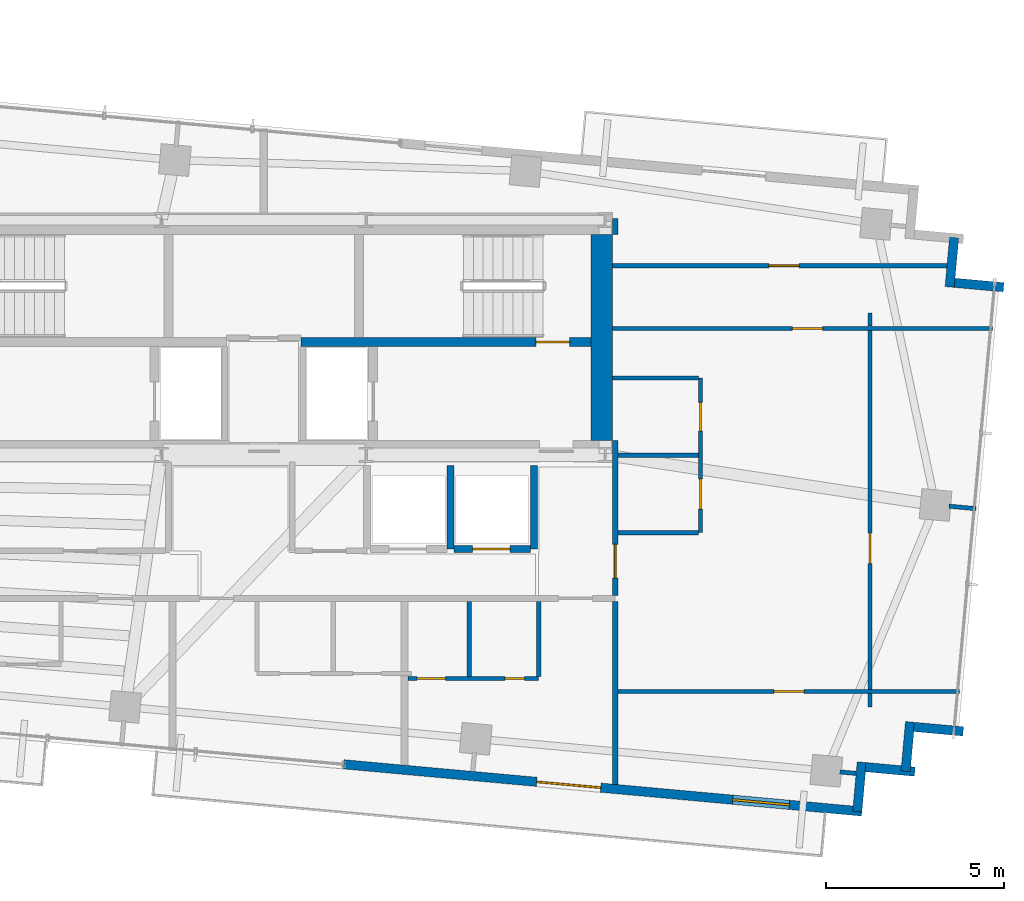
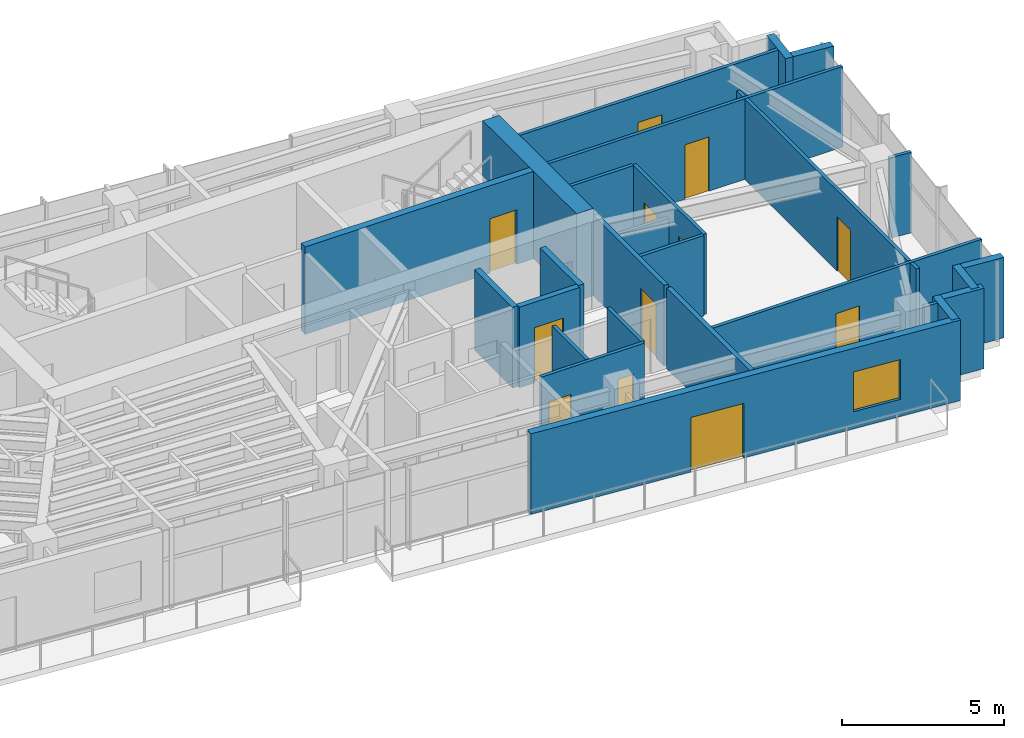
# One storey, part 18 of 22: 30 walls, 12 doors, 1 window, 13 openings.
"""IFC4 building model written with IfcOpenShell, lengths in metres."""

from ifc_helpers import new_model, si_unit, direction, frame, frame_2d, origin, place, context, subcontext, project, spatial, rectangle, extrude, source, transform, mapped, material, layer, layer_set, type_object, type_shapes, element, fill, save


model = new_model("IFC4")

# Units and contexts
model_context = context("Model", 3, precision=1e-05, world=origin(), true_north=direction((0.0, 1.0)))
body_context = subcontext(model_context, "Body", "Model", "MODEL_VIEW")
ifc_project = project(units=[si_unit("LENGTHUNIT", "METRE"), si_unit("AREAUNIT", "SQUARE_METRE"), si_unit("VOLUMEUNIT", "CUBIC_METRE"), si_unit("PLANEANGLEUNIT", "RADIAN"), si_unit("MASSUNIT", "GRAM", prefix="KILO")], contexts=[model_context])

# Site, building, storey
site_placement = place(None, origin())
site = spatial("IfcSite", under=ifc_project, at=site_placement, CompositionType="ELEMENT")
building_placement = place(site_placement, origin())
building = spatial("IfcBuilding", under=site, at=building_placement, Name="Astriad Promenade Condominiums", CompositionType="ELEMENT")
storey_placement = place(building_placement, frame((0.0, 0.0, 243.0)))
storey = spatial("IfcBuildingStorey", under=building, at=storey_placement, Name="L70", CompositionType="ELEMENT", Elevation=243.0)

# Wall
ifc_material_1 = material(Name="Concrete C50/60", Category="concrete")
ifc_layer_1 = layer(ifc_material_1, 0.60009765625)
ifc_layer_set_1 = layer_set([ifc_layer_1], Name="Concrete C50/60")
wall_type_1 = type_object("IfcWallType", Name="CW-SHEAR-600", PredefinedType="SHEAR", material=ifc_layer_set_1)
wall_1_placement = place(storey_placement, frame((45.5, 17.802001953125, 0.0), z_axis=(0.0, 0.0, 1.0), x_axis=(0.0, 1.0, 0.0)))
element("IfcWall", 1, at=wall_1_placement, inside=storey, type_object=wall_type_1, Name="CW-CORE-E-L70", PredefinedType="SHEAR", context=body_context, shape_type="SweptSolid", body=[
    extrude(rectangle(XDim=5.7958984375, YDim=0.60009765625, at=frame_2d((2.89794921875, 0.0))), origin(), (0.0, 0.0, 1.0), 3.300048828125),
])

# Wall, opening, door
ifc_layer_2 = layer(ifc_material_1, 0.25)
ifc_layer_set_2 = layer_set([ifc_layer_2], Name="Concrete C50/60")
wall_type_2 = type_object("IfcWallType", Name="WALL-CORE-INT-250", PredefinedType="SOLIDWALL", material=ifc_layer_set_2)
wall_2_placement = place(storey_placement, frame((37.050048828125, 20.574951171875, 0.0), z_axis=(0.0, 0.0, 1.0), x_axis=(1.0, 0.0, 0.0)))
wall_2 = element("IfcWall", 2, at=wall_2_placement, inside=storey, type_object=wall_type_2, Name="CW-INT-H2-L70", PredefinedType="SOLIDWALL", context=body_context, shape_type="SweptSolid", body=[
    extrude(rectangle(XDim=8.14794921875, YDim=0.25, at=frame_2d((4.073974609375, 0.0))), origin(), (0.0, 0.0, 1.0), 3.300048828125),
])
opening_1_placement = place(wall_2_placement, frame((6.60009765625, 0.0, 0.0)))
opening_1 = element("IfcOpeningElement", 3, at=opening_1_placement, cuts=wall_2, Name="Opening FD90-ST-095", PredefinedType="OPENING", context=body_context, shape_type="SweptSolid", body=[
    extrude(rectangle(XDim=0.949951171875, YDim=2.06005859375, at=frame_2d((0.47509765625, 1.030029296875))), frame((0.0, 0.135009765625, 0.0), z_axis=(0.0, -1.0, 0.0), x_axis=(1.0, 0.0, 0.0)), (0.0, 0.0, 1.0), 0.27001953125),
])
ifc_material_2 = material(Name="Fire-Rated Hollow Metal Stair Door")
door_type_1 = type_object("IfcDoorType", Name="FD90-ST-095", OperationType="NOTDEFINED", PredefinedType="DOOR", material=ifc_material_2)
shared_shape_1 = source(origin(), body_context, "Body", "SweptSolid", [
    extrude(rectangle(XDim=0.949951171875, YDim=2.06005859375, at=frame_2d((0.47509765625, 1.030029296875))), frame((0.0, 0.02490234375, 0.0), z_axis=(0.0, -1.0, 0.0), x_axis=(1.0, 0.0, 0.0)), (0.0, 0.0, 1.0), 0.050048828125),
])
type_shapes(door_type_1, [shared_shape_1])
door_1_placement = place(opening_1_placement, origin())
door_1 = element("IfcDoor", 4, at=door_1_placement, inside=storey, type_object=door_type_1, Name="D-ST2-L70", OperationType="SINGLE_SWING_LEFT", OverallHeight=2.06005859375, OverallWidth=0.949951171875, PredefinedType="DOOR", context=body_context, shape_type="MappedRepresentation", body=[
    mapped(shared_shape_1, transform((0.0, 0.0, 0.0), scale=1.0)),
])
fill(opening_1, door_1)

# Wall
ifc_material_3 = material(Name="Fire-Rated Gypsum Partition")
ifc_layer_3 = layer(ifc_material_3, 0.159912109375)
ifc_layer_set_3 = layer_set([ifc_layer_3], Name="Fire-Rated Gypsum Partition")
wall_type_3 = type_object("IfcWallType", Name="WALL-CORR-160", PredefinedType="PARTITIONING", material=ifc_layer_set_3)
wall_3_placement = place(storey_placement, frame((45.8798828125, 8.135986328125, 0.0), z_axis=(0.0, 0.0, 1.0), x_axis=(0.0, 1.0, 0.0)))
element("IfcWall", 5, at=wall_3_placement, inside=storey, type_object=wall_type_3, Name="PT-COR-E-L70", PredefinedType="PARTITIONING", context=body_context, shape_type="SweptSolid", body=[
    extrude(rectangle(XDim=5.14208984375, YDim=0.159912109375, at=frame_2d((2.571044921875, 0.0))), origin(), (0.0, 0.0, 1.0), 3.0400390625),
])

# Wall, opening, door
wall_4_placement = place(storey_placement, frame((45.8798828125, 13.44189453125, 0.0), z_axis=(0.0, 0.0, 1.0), x_axis=(0.0, 1.0, 0.0)))
wall_4 = element("IfcWall", 6, at=wall_4_placement, inside=storey, type_object=wall_type_3, Name="PT-COR-E-L70-S2", PredefinedType="PARTITIONING", context=body_context, shape_type="SweptSolid", body=[
    extrude(rectangle(XDim=4.360107421875, YDim=0.159912109375, at=frame_2d((2.18017578125, 0.0))), origin(), (0.0, 0.0, 1.0), 3.0400390625),
])
opening_2_placement = place(wall_4_placement, frame((0.492919921875, 0.0, 0.0)))
opening_2 = element("IfcOpeningElement", 7, at=opening_2_placement, cuts=wall_4, Name="Opening FD60-APT-095", PredefinedType="OPENING", context=body_context, shape_type="SweptSolid", body=[
    extrude(rectangle(XDim=0.949951171875, YDim=2.06005859375, at=frame_2d((0.47509765625, 1.030029296875))), frame((0.0, 0.08984375, 0.0), z_axis=(0.0, -1.0, 0.0), x_axis=(1.0, 0.0, 0.0)), (0.0, 0.0, 1.0), 0.179931640625),
])
ifc_material_4 = material(Name="Solid-Core Acoustic Timber Residence Entry Door", Category="wood")
door_type_2 = type_object("IfcDoorType", Name="FD60-APT-095", OperationType="NOTDEFINED", PredefinedType="DOOR", material=ifc_material_4)
shared_shape_2 = source(origin(), body_context, "Body", "SweptSolid", [
    extrude(rectangle(XDim=0.949951171875, YDim=2.06005859375, at=frame_2d((0.47509765625, 1.030029296875))), frame((0.0, 0.02490234375, 0.0), z_axis=(0.0, -1.0, 0.0), x_axis=(1.0, 0.0, 0.0)), (0.0, 0.0, 1.0), 0.050048828125),
])
type_shapes(door_type_2, [shared_shape_2])
door_2_placement = place(opening_2_placement, origin())
door_2 = element("IfcDoor", 8, at=door_2_placement, inside=storey, type_object=door_type_2, Name="D-ENT-L70-E1", OperationType="SINGLE_SWING_LEFT", OverallHeight=2.06005859375, OverallWidth=0.949951171875, PredefinedType="DOOR", context=body_context, shape_type="MappedRepresentation", body=[
    mapped(shared_shape_2, transform((0.0, 0.0, 0.0), scale=1.0)),
])
fill(opening_2, door_2)

# Walls
wall_5_placement = place(storey_placement, frame((45.8798828125, 23.597900390625, 0.0), z_axis=(0.0, 0.0, 1.0), x_axis=(0.0, 1.0, 0.0)))
element("IfcWall", 9, at=wall_5_placement, inside=storey, type_object=wall_type_3, Name="PT-COR-E-L70-S3", PredefinedType="PARTITIONING", context=body_context, shape_type="SweptSolid", body=[
    extrude(rectangle(XDim=0.4521484375, YDim=0.159912109375, at=frame_2d((0.22607421875, 0.0))), origin(), (0.0, 0.0, 1.0), 3.0400390625),
])
ifc_material_5 = material(Name="Precast concrete C50/60", Category="concrete")
ifc_layer_4 = layer(ifc_material_5, 0.260009765625)
ifc_layer_set_4 = layer_set([ifc_layer_4], Name="Precast concrete C50/60")
wall_type_4 = type_object("IfcWallType", Name="WALL-EXT-TWR-260", PredefinedType="STANDARD", material=ifc_layer_set_4)
for number, where, z_axis, x_axis, name in (
    (10, (55.412353515625, 23.50830078125, 0.0), (0.0, 0.0, 1.0), (-0.090646191665, -0.995883159782, 0.0), "W-SER-L70-11"),
    (11, (55.412109375, 22.238037109375, 0.0), (0.0, 0.0, 1.0), (0.995883159782, -0.090646191665, 0.0), "W-SER-L70-12"),
):
    element("IfcWall", number, at=place(storey_placement, frame(where, z_axis=z_axis, x_axis=x_axis)), inside=storey, type_object=wall_type_4, Name=name, PredefinedType="STANDARD", context=body_context, shape_type="SweptSolid", body=[
        extrude(rectangle(XDim=1.395263671875, YDim=0.260009765625, at=frame_2d((0.69775390625, 0.0))), origin(), (0.0, 0.0, 1.0), 3.0400390625),
    ])
for number, where, z_axis, x_axis, name in (
    (12, (55.664794921875, 9.623291015625, 0.0), (0.0, 0.0, 1.0), (-0.995881721538, 0.090661991521, 0.0), "W-SER-L70-14"),
    (13, (54.1728515625, 9.889404296875, 0.0), (0.0, 0.0, 1.0), (-0.090661991521, -0.995881721538, 0.0), "W-SER-L70-15"),
):
    element("IfcWall", number, at=place(storey_placement, frame(where, z_axis=z_axis, x_axis=x_axis)), inside=storey, type_object=wall_type_4, Name=name, PredefinedType="STANDARD", context=body_context, shape_type="SweptSolid", body=[
        extrude(rectangle(XDim=1.39501953125, YDim=0.260009765625, at=frame_2d((0.697509765625, 0.0))), origin(), (0.0, 0.0, 1.0), 3.0400390625),
    ])
for number, where, z_axis, x_axis, name in (
    (14, (54.306884765625, 8.49169921875, 0.0), (0.0, 0.0, 1.0), (-0.995883159782, 0.090646191665, 0.0), "W-SER-L70-16"),
    (15, (52.814697265625, 8.758056640625, 0.0), (0.0, 0.0, 1.0), (-0.090646191665, -0.995883159782, 0.0), "W-SER-L70-17"),
):
    element("IfcWall", number, at=place(storey_placement, frame(where, z_axis=z_axis, x_axis=x_axis)), inside=storey, type_object=wall_type_4, Name=name, PredefinedType="STANDARD", context=body_context, shape_type="SweptSolid", body=[
        extrude(rectangle(XDim=1.395263671875, YDim=0.260009765625, at=frame_2d((0.69775390625, 0.0))), origin(), (0.0, 0.0, 1.0), 3.0400390625),
    ])

# Wall, openings, door, window
wall_6_placement = place(storey_placement, frame((52.819091796875, 7.371826171875, 0.0), z_axis=(0.0, 0.0, 1.0), x_axis=(-0.995884447498, 0.090632043071, 0.0)))
wall_6 = element("IfcWall", 16, at=wall_6_placement, inside=storey, type_object=wall_type_4, Name="W-EXT-L70-S1", PredefinedType="STANDARD", context=body_context, shape_type="SweptSolid", body=[
    extrude(rectangle(XDim=14.6298828125, YDim=0.260009765625, at=frame_2d((7.31494140625, 0.0))), origin(), (0.0, 0.0, 1.0), 3.0400390625),
])
opening_3_placement = place(wall_6_placement, frame((7.37890625, 0.0, 0.0)))
opening_3 = element("IfcOpeningElement", 17, at=opening_3_placement, cuts=wall_6, Name="Opening BD-1822-SLD", PredefinedType="OPENING", context=body_context, shape_type="SweptSolid", body=[
    extrude(rectangle(XDim=1.800048828125, YDim=2.06005859375, at=frame_2d((0.89990234375, 1.030029296875))), frame((0.0, 0.139892578125, 0.0), z_axis=(0.0, -1.0, 0.0), x_axis=(1.0, 0.0, 0.0)), (0.0, 0.0, 1.0), 0.280029296875),
])
opening_4_placement = place(wall_6_placement, frame((2.050048828125, 0.0, 0.64990234375)))
opening_4 = element("IfcOpeningElement", 18, at=opening_4_placement, cuts=wall_6, Name="Opening WIN-TWR-1620", PredefinedType="OPENING", context=body_context, shape_type="SweptSolid", body=[
    extrude(rectangle(XDim=1.60009765625, YDim=1.5, at=frame_2d((0.800048828125, 0.75))), frame((0.0, 0.139892578125, 0.0), z_axis=(0.0, -1.0, 0.0), x_axis=(1.0, 0.0, 0.0)), (0.0, 0.0, 1.0), 0.280029296875),
])
ifc_material_6 = material(Name="Thermally Broken Aluminium Sliding Balcony Door", Category="aluminium")
door_type_3 = type_object("IfcDoorType", Name="BD-1822-SLD", OperationType="NOTDEFINED", PredefinedType="DOOR", material=ifc_material_6)
shared_shape_3 = source(origin(), body_context, "Body", "SweptSolid", [
    extrude(rectangle(XDim=1.800048828125, YDim=2.06005859375, at=frame_2d((0.89990234375, 1.030029296875))), frame((0.0, 0.02490234375, 0.0), z_axis=(0.0, -1.0, 0.0), x_axis=(1.0, 0.0, 0.0)), (0.0, 0.0, 1.0), 0.050048828125),
])
type_shapes(door_type_3, [shared_shape_3])
door_3_placement = place(opening_3_placement, origin())
door_3 = element("IfcDoor", 19, at=door_3_placement, inside=storey, type_object=door_type_3, Name="BD-L70-SE", OperationType="SLIDING_TO_RIGHT", OverallHeight=2.06005859375, OverallWidth=1.800048828125, PredefinedType="DOOR", context=body_context, shape_type="MappedRepresentation", body=[
    mapped(shared_shape_3, transform((0.0, 0.0, 0.0), scale=1.0)),
])
fill(opening_3, door_3)
ifc_material_7 = material(Name="Dark Tinted Triple-Glazed Aluminium Window", Category="aluminium")
window_type = type_object("IfcWindowType", Name="WIN-TWR-1620", PartitioningType="SINGLE_PANEL", PredefinedType="WINDOW", material=ifc_material_7)
shared_shape_4 = source(origin(), body_context, "Body", "SweptSolid", [
    extrude(rectangle(XDim=1.60009765625, YDim=1.5, at=frame_2d((0.800048828125, 0.75))), frame((0.0, 0.030029296875, 0.0), z_axis=(0.0, -1.0, 0.0), x_axis=(1.0, 0.0, 0.0)), (0.0, 0.0, 1.0), 0.06005859375),
])
type_shapes(window_type, [shared_shape_4])
window_placement = place(opening_4_placement, origin())
window = element("IfcWindow", 20, at=window_placement, inside=storey, type_object=window_type, Name="WIN-L70-SE", OverallHeight=1.5, OverallWidth=1.60009765625, PartitioningType="SINGLE_PANEL", PredefinedType="WINDOW", context=body_context, shape_type="MappedRepresentation", body=[
    mapped(shared_shape_4, transform((0.0, 0.0, 0.0), scale=1.0)),
])
fill(opening_4, window)

# Wall, openings, doors
ifc_material_8 = material(Name="Acoustic Metal-Stud Gypsum Partition")
ifc_layer_5 = layer(ifc_material_8, 0.1201171875)
ifc_layer_set_5 = layer_set([ifc_layer_5], Name="Acoustic Metal-Stud Gypsum Partition")
wall_type_5 = type_object("IfcWallType", Name="WALL-PART-120", PredefinedType="PARTITIONING", material=ifc_layer_set_5)
wall_7_placement = place(storey_placement, frame((40.053955078125, 11.110107421875, 0.0), z_axis=(0.0, 0.0, 1.0), x_axis=(1.0, 0.0, 0.0)))
wall_7 = element("IfcWall", 21, at=wall_7_placement, inside=storey, type_object=wall_type_5, Name="PT-L70-S3-PS", PredefinedType="PARTITIONING", context=body_context, shape_type="SweptSolid", body=[
    extrude(rectangle(XDim=3.676025390625, YDim=0.1201171875, at=frame_2d((1.837890625, 0.0))), origin(), (0.0, 0.0, 1.0), 3.0400390625),
])
opening_5_placement = place(wall_7_placement, frame((0.260009765625, 0.0, 0.0)))
opening_5 = element("IfcOpeningElement", 22, at=opening_5_placement, cuts=wall_7, Name="Opening D-WET-080", PredefinedType="OPENING", context=body_context, shape_type="SweptSolid", body=[
    extrude(rectangle(XDim=0.800048828125, YDim=2.02001953125, at=frame_2d((0.39990234375, 1.010009765625))), frame((0.0, 0.070068359375, 0.0), z_axis=(0.0, -1.0, 0.0), x_axis=(1.0, 0.0, 0.0)), (0.0, 0.0, 1.0), 0.14013671875),
])
opening_6_placement = place(wall_7_placement, frame((2.72412109375, 0.0, 0.0)))
opening_6 = element("IfcOpeningElement", 23, at=opening_6_placement, cuts=wall_7, Name="Opening D-AC-055", PredefinedType="OPENING", context=body_context, shape_type="SweptSolid", body=[
    extrude(rectangle(XDim=0.550048828125, YDim=2.0, at=frame_2d((0.27490234375, 1.0))), frame((0.0, 0.070068359375, 0.0), z_axis=(0.0, -1.0, 0.0), x_axis=(1.0, 0.0, 0.0)), (0.0, 0.0, 1.0), 0.14013671875),
])
ifc_material_9 = material(Name="Moisture-Resistant Timber Bathroom Door", Category="wood")
door_type_4 = type_object("IfcDoorType", Name="D-WET-080", OperationType="NOTDEFINED", PredefinedType="DOOR", material=ifc_material_9)
shared_shape_5 = source(origin(), body_context, "Body", "SweptSolid", [
    extrude(rectangle(XDim=0.800048828125, YDim=2.02001953125, at=frame_2d((0.39990234375, 1.010009765625))), frame((0.0, 0.02490234375, 0.0), z_axis=(0.0, -1.0, 0.0), x_axis=(1.0, 0.0, 0.0)), (0.0, 0.0, 1.0), 0.050048828125),
])
type_shapes(door_type_4, [shared_shape_5])
door_4_placement = place(opening_5_placement, origin())
door_4 = element("IfcDoor", 24, at=door_4_placement, inside=storey, type_object=door_type_4, Name="D-BTH-L70-S3", OperationType="SINGLE_SWING_RIGHT", OverallHeight=2.02001953125, OverallWidth=0.800048828125, PredefinedType="DOOR", context=body_context, shape_type="MappedRepresentation", body=[
    mapped(shared_shape_5, transform((0.0, 0.0, 0.0), scale=1.0)),
])
fill(opening_5, door_4)
ifc_material_10 = material(Name="Painted Timber Access Door", Category="wood")
door_type_5 = type_object("IfcDoorType", Name="D-AC-055", OperationType="NOTDEFINED", PredefinedType="DOOR", material=ifc_material_10)
shared_shape_6 = source(origin(), body_context, "Body", "SweptSolid", [
    extrude(rectangle(XDim=0.550048828125, YDim=2.0, at=frame_2d((0.27490234375, 1.0))), frame((0.0, 0.02490234375, 0.0), z_axis=(0.0, -1.0, 0.0), x_axis=(1.0, 0.0, 0.0)), (0.0, 0.0, 1.0), 0.050048828125),
])
type_shapes(door_type_5, [shared_shape_6])
door_5_placement = place(opening_6_placement, origin())
door_5 = element("IfcDoor", 25, at=door_5_placement, inside=storey, type_object=door_type_5, Name="D-KIT-L70-S3", OperationType="SINGLE_SWING_LEFT", OverallHeight=2.0, OverallWidth=0.550048828125, PredefinedType="DOOR", context=body_context, shape_type="MappedRepresentation", body=[
    mapped(shared_shape_6, transform((0.0, 0.0, 0.0), scale=1.0)),
])
fill(opening_6, door_5)

# Walls
for number, where, z_axis, x_axis, name in (
    (26, (43.72998046875, 11.172119140625, 0.0), (0.0, 0.0, 1.0), (0.0, 1.0, 0.0), "PT-L70-S3-PK"),
    (27, (41.77587890625, 11.172119140625, 0.0), (0.0, 0.0, 1.0), (0.0, 1.0, 0.0), "PT-L70-S3-PB"),
):
    element("IfcWall", number, at=place(storey_placement, frame(where, z_axis=z_axis, x_axis=x_axis)), inside=storey, type_object=wall_type_5, Name=name, PredefinedType="PARTITIONING", context=body_context, shape_type="SweptSolid", body=[
        extrude(rectangle(XDim=2.10595703125, YDim=0.1201171875, at=frame_2d((1.052978515625, 0.0))), origin(), (0.0, 0.0, 1.0), 3.0400390625),
    ])

# Wall, openings, doors
wall_8_placement = place(storey_placement, frame((48.280029296875, 15.2099609375, 0.0), z_axis=(0.0, 0.0, 1.0), x_axis=(0.0, 1.0, 0.0)))
wall_8 = element("IfcWall", 28, at=wall_8_placement, inside=storey, type_object=wall_type_5, Name="PT-L70-E1-PV", PredefinedType="PARTITIONING", context=body_context, shape_type="SweptSolid", body=[
    extrude(rectangle(XDim=4.35009765625, YDim=0.1201171875, at=frame_2d((2.175048828125, 0.0))), origin(), (0.0, 0.0, 1.0), 3.0400390625),
])
opening_7_placement = place(wall_8_placement, frame((0.662109375, 0.0, 0.0)))
opening_7 = element("IfcOpeningElement", 29, at=opening_7_placement, cuts=wall_8, Name="Opening D-INT-085", PredefinedType="OPENING", context=body_context, shape_type="SweptSolid", body=[
    extrude(rectangle(XDim=0.85009765625, YDim=2.050048828125, at=frame_2d((0.425048828125, 1.02490234375))), frame((0.0, 0.070068359375, 0.0), z_axis=(0.0, -1.0, 0.0), x_axis=(1.0, 0.0, 0.0)), (0.0, 0.0, 1.0), 0.14013671875),
])
opening_8_placement = place(wall_8_placement, frame((2.863037109375, 0.0, 0.0)))
opening_8 = element("IfcOpeningElement", 30, at=opening_8_placement, cuts=wall_8, Name="Opening D-WET-080", PredefinedType="OPENING", context=body_context, shape_type="SweptSolid", body=[
    extrude(rectangle(XDim=0.800048828125, YDim=2.02001953125, at=frame_2d((0.39990234375, 1.010009765625))), frame((0.0, 0.070068359375, 0.0), z_axis=(0.0, -1.0, 0.0), x_axis=(1.0, 0.0, 0.0)), (0.0, 0.0, 1.0), 0.14013671875),
])
door_6_placement = place(opening_8_placement, origin())
door_6 = element("IfcDoor", 31, at=door_6_placement, inside=storey, type_object=door_type_4, Name="D-BTH-L70-E1", OperationType="SINGLE_SWING_LEFT", OverallHeight=2.02001953125, OverallWidth=0.800048828125, PredefinedType="DOOR", context=body_context, shape_type="MappedRepresentation", body=[
    mapped(shared_shape_5, transform((0.0, 0.0, 0.0), scale=1.0)),
])
fill(opening_8, door_6)
ifc_material_11 = material(Name="Painted Solid-Core Timber Room Door", Category="wood")
door_type_6 = type_object("IfcDoorType", Name="D-INT-085", OperationType="NOTDEFINED", PredefinedType="DOOR", material=ifc_material_11)
shared_shape_7 = source(origin(), body_context, "Body", "SweptSolid", [
    extrude(rectangle(XDim=0.85009765625, YDim=2.050048828125, at=frame_2d((0.425048828125, 1.02490234375))), frame((0.0, 0.02490234375, 0.0), z_axis=(0.0, -1.0, 0.0), x_axis=(1.0, 0.0, 0.0)), (0.0, 0.0, 1.0), 0.050048828125),
])
type_shapes(door_type_6, [shared_shape_7])
door_7_placement = place(opening_7_placement, origin())
door_7 = element("IfcDoor", 32, at=door_7_placement, inside=storey, type_object=door_type_6, Name="D-KIT-L70-E1", OperationType="SINGLE_SWING_RIGHT", OverallHeight=2.050048828125, OverallWidth=0.85009765625, PredefinedType="DOOR", context=body_context, shape_type="MappedRepresentation", body=[
    mapped(shared_shape_7, transform((0.0, 0.0, 0.0), scale=1.0)),
])
fill(opening_7, door_7)

# Walls
wall_9_placement = place(storey_placement, frame((45.9619140625, 17.385009765625, 0.0), z_axis=(0.0, 0.0, 1.0), x_axis=(1.0, 0.0, 0.0)))
element("IfcWall", 33, at=wall_9_placement, inside=storey, type_object=wall_type_5, Name="PT-L70-E1-PM", PredefinedType="PARTITIONING", context=body_context, shape_type="SweptSolid", body=[
    extrude(rectangle(XDim=2.256103515625, YDim=0.1201171875, at=frame_2d((1.1279296875, 0.0))), origin(), (0.0, 0.0, 1.0), 2.38134765625),
])
wall_10_placement = place(storey_placement, frame((45.9619140625, 15.2099609375, 0.0), z_axis=(0.0, 0.0, 1.0), x_axis=(1.0, 0.0, 0.0)))
element("IfcWall", 34, at=wall_10_placement, inside=storey, type_object=wall_type_5, Name="PT-L70-E1-PS", PredefinedType="PARTITIONING", context=body_context, shape_type="SweptSolid", body=[
    extrude(rectangle(XDim=2.256103515625, YDim=0.1201171875, at=frame_2d((1.1279296875, 0.0))), origin(), (0.0, 0.0, 1.0), 3.0400390625),
])
wall_11_placement = place(storey_placement, frame((45.802001953125, 19.56005859375, 0.0), z_axis=(0.0, 0.0, 1.0), x_axis=(1.0, 0.0, 0.0)))
element("IfcWall", 35, at=wall_11_placement, inside=storey, type_object=wall_type_5, Name="PT-L70-E1-PN", PredefinedType="PARTITIONING", context=body_context, shape_type="SweptSolid", body=[
    extrude(rectangle(XDim=2.416015625, YDim=0.1201171875, at=frame_2d((1.2080078125, 0.0))), origin(), (0.0, 0.0, 1.0), 3.0400390625),
])

# Wall, opening, door
wall_12_placement = place(storey_placement, frame((45.802001953125, 22.717041015625, 0.0), z_axis=(0.0, 0.0, 1.0), x_axis=(1.0, 0.0, 0.0)))
wall_12 = element("IfcWall", 36, at=wall_12_placement, inside=storey, type_object=wall_type_5, Name="PT-L70-E1-WDN1", PredefinedType="PARTITIONING", context=body_context, shape_type="SweptSolid", body=[
    extrude(rectangle(XDim=9.40576171875, YDim=0.1201171875, at=frame_2d((4.702880859375, 0.0))), origin(), (0.0, 0.0, 1.0), 3.0400390625),
])
opening_9_placement = place(wall_12_placement, frame((4.39697265625, 0.0, 0.0)))
opening_9 = element("IfcOpeningElement", 37, at=opening_9_placement, cuts=wall_12, Name="Opening D-INT-085", PredefinedType="OPENING", context=body_context, shape_type="SweptSolid", body=[
    extrude(rectangle(XDim=0.85009765625, YDim=2.050048828125, at=frame_2d((0.425048828125, 1.02490234375))), frame((0.0, 0.070068359375, 0.0), z_axis=(0.0, -1.0, 0.0), x_axis=(1.0, 0.0, 0.0)), (0.0, 0.0, 1.0), 0.14013671875),
])
door_8_placement = place(opening_9_placement, origin())
door_8 = element("IfcDoor", 38, at=door_8_placement, inside=storey, type_object=door_type_6, Name="D-WDN1-L70-E1", OperationType="SINGLE_SWING_RIGHT", OverallHeight=2.050048828125, OverallWidth=0.85009765625, PredefinedType="DOOR", context=body_context, shape_type="MappedRepresentation", body=[
    mapped(shared_shape_7, transform((0.0, 0.0, 0.0), scale=1.0)),
])
fill(opening_9, door_8)

wall_13_placement = place(storey_placement, frame((45.9619140625, 10.74609375, 0.0), z_axis=(0.0, 0.0, 1.0), x_axis=(1.0, 0.0, 0.0)))
wall_13 = element("IfcWall", 39, at=wall_13_placement, inside=storey, type_object=wall_type_5, Name="PT-L70-E1-WDS2", PredefinedType="PARTITIONING", context=body_context, shape_type="SweptSolid", body=[
    extrude(rectangle(XDim=9.59423828125, YDim=0.1201171875, at=frame_2d((4.797119140625, 0.0))), origin(), (0.0, 0.0, 1.0), 3.0400390625),
])
opening_10_placement = place(wall_13_placement, frame((4.3779296875, 0.0, 0.0)))
opening_10 = element("IfcOpeningElement", 40, at=opening_10_placement, cuts=wall_13, Name="Opening D-INT-085", PredefinedType="OPENING", context=body_context, shape_type="SweptSolid", body=[
    extrude(rectangle(XDim=0.85009765625, YDim=2.050048828125, at=frame_2d((0.425048828125, 1.02490234375))), frame((0.0, 0.070068359375, 0.0), z_axis=(0.0, -1.0, 0.0), x_axis=(1.0, 0.0, 0.0)), (0.0, 0.0, 1.0), 0.14013671875),
])
door_9_placement = place(opening_10_placement, origin())
door_9 = element("IfcDoor", 41, at=door_9_placement, inside=storey, type_object=door_type_6, Name="D-WDS2-L70-E1", OperationType="SINGLE_SWING_LEFT", OverallHeight=2.050048828125, OverallWidth=0.85009765625, PredefinedType="DOOR", context=body_context, shape_type="MappedRepresentation", body=[
    mapped(shared_shape_7, transform((0.0, 0.0, 0.0), scale=1.0)),
])
fill(opening_10, door_9)

wall_14_placement = place(storey_placement, frame((45.802001953125, 20.9541015625, 0.0), z_axis=(0.0, 0.0, 1.0), x_axis=(1.0, 0.0, 0.0)))
wall_14 = element("IfcWall", 42, at=wall_14_placement, inside=storey, type_object=wall_type_5, Name="PT-L70-E1-WDN3", PredefinedType="PARTITIONING", context=body_context, shape_type="SweptSolid", body=[
    extrude(rectangle(XDim=10.68310546875, YDim=0.1201171875, at=frame_2d((5.341552734375, 0.0))), origin(), (0.0, 0.0, 1.0), 3.0400390625),
])
opening_11_placement = place(wall_14_placement, frame((5.06201171875, 0.0, 0.0)))
opening_11 = element("IfcOpeningElement", 43, at=opening_11_placement, cuts=wall_14, Name="Opening D-INT-085", PredefinedType="OPENING", context=body_context, shape_type="SweptSolid", body=[
    extrude(rectangle(XDim=0.85009765625, YDim=2.050048828125, at=frame_2d((0.425048828125, 1.02490234375))), frame((0.0, 0.070068359375, 0.0), z_axis=(0.0, -1.0, 0.0), x_axis=(1.0, 0.0, 0.0)), (0.0, 0.0, 1.0), 0.14013671875),
])
door_10_placement = place(opening_11_placement, origin())
door_10 = element("IfcDoor", 44, at=door_10_placement, inside=storey, type_object=door_type_6, Name="D-WDN3-L70-E1", OperationType="SINGLE_SWING_RIGHT", OverallHeight=2.050048828125, OverallWidth=0.85009765625, PredefinedType="DOOR", context=body_context, shape_type="MappedRepresentation", body=[
    mapped(shared_shape_7, transform((0.0, 0.0, 0.0), scale=1.0)),
])
fill(opening_11, door_10)

# Wall
wall_15_placement = place(storey_placement, frame((53.047119140625, 10.305908203125, 0.0), z_axis=(0.0, 0.0, 1.0), x_axis=(0.0, 1.0, 0.0)))
element("IfcWall", 45, at=wall_15_placement, inside=storey, type_object=wall_type_5, Name="PT-L70-E1-WDV4", PredefinedType="PARTITIONING", context=body_context, shape_type="SweptSolid", body=[
    extrude(rectangle(XDim=0.378173828125, YDim=0.1201171875, at=frame_2d((0.18896484375, 0.0))), origin(), (0.0, 0.0, 1.0), 3.0400390625),
])

# Wall, opening, door
wall_16_placement = place(storey_placement, frame((53.047119140625, 10.80810546875, 0.0), z_axis=(0.0, 0.0, 1.0), x_axis=(0.0, 1.0, 0.0)))
wall_16 = element("IfcWall", 46, at=wall_16_placement, inside=storey, type_object=wall_type_5, Name="PT-L70-E1-WDV4-S2", PredefinedType="PARTITIONING", context=body_context, shape_type="SweptSolid", body=[
    extrude(rectangle(XDim=10.083984375, YDim=0.1201171875, at=frame_2d((5.0419921875, 0.0))), origin(), (0.0, 0.0, 1.0), 3.0400390625),
])
opening_12_placement = place(wall_16_placement, frame((3.5400390625, 0.0, 0.0)))
opening_12 = element("IfcOpeningElement", 47, at=opening_12_placement, cuts=wall_16, Name="Opening D-INT-085", PredefinedType="OPENING", context=body_context, shape_type="SweptSolid", body=[
    extrude(rectangle(XDim=0.85009765625, YDim=2.050048828125, at=frame_2d((0.425048828125, 1.02490234375))), frame((0.0, 0.070068359375, 0.0), z_axis=(0.0, -1.0, 0.0), x_axis=(1.0, 0.0, 0.0)), (0.0, 0.0, 1.0), 0.14013671875),
])
door_11_placement = place(opening_12_placement, origin())
door_11 = element("IfcDoor", 48, at=door_11_placement, inside=storey, type_object=door_type_6, Name="D-WDV4-L70-E1", OperationType="SINGLE_SWING_LEFT", OverallHeight=2.050048828125, OverallWidth=0.85009765625, PredefinedType="DOOR", context=body_context, shape_type="MappedRepresentation", body=[
    mapped(shared_shape_7, transform((0.0, 0.0, 0.0), scale=1.0)),
])
fill(opening_12, door_11)

# Walls
wall_17_placement = place(storey_placement, frame((53.047119140625, 21.01611328125, 0.0), z_axis=(0.0, 0.0, 1.0), x_axis=(0.0, 1.0, 0.0)))
element("IfcWall", 49, at=wall_17_placement, inside=storey, type_object=wall_type_5, Name="PT-L70-E1-WDV4-S3", PredefinedType="PARTITIONING", context=body_context, shape_type="SweptSolid", body=[
    extrude(rectangle(XDim=0.3779296875, YDim=0.1201171875, at=frame_2d((0.18896484375, 0.0))), origin(), (0.0, 0.0, 1.0), 3.0400390625),
])
wall_18_placement = place(storey_placement, frame((52.197265625, 8.48291015625, 0.0), z_axis=(0.0, 0.0, 1.0), x_axis=(0.995884462012, -0.090631883588, 0.0)))
element("IfcWall", 50, at=wall_18_placement, inside=storey, type_object=wall_type_5, Name="PT-PIL-L70-PC05-12", PredefinedType="PARTITIONING", context=body_context, shape_type="SweptSolid", body=[
    extrude(rectangle(XDim=0.4580078125, YDim=0.1201171875, at=frame_2d((0.22900390625, 0.0))), origin(), (0.0, 0.0, 1.0), 3.0400390625),
])
wall_19_placement = place(storey_placement, frame((55.26708984375, 15.955322265625, 0.0), z_axis=(0.0, 0.0, 1.0), x_axis=(0.995887938321, -0.09059367697, 0.0)))
element("IfcWall", 51, at=wall_19_placement, inside=storey, type_object=wall_type_5, Name="PT-PIL-L70-PC12-19", PredefinedType="PARTITIONING", context=body_context, shape_type="SweptSolid", body=[
    extrude(rectangle(XDim=0.760009765625, YDim=0.1201171875, at=frame_2d((0.3798828125, 0.0))), origin(), (0.0, 0.0, 1.0), 3.0400390625),
])
ifc_material_12 = material(Name="Gypsum Shaftliner Assembly")
ifc_layer_6 = layer(ifc_material_12, 0.199951171875)
ifc_layer_set_6 = layer_set([ifc_layer_6], Name="Gypsum Shaftliner Assembly")
wall_type_6 = type_object("IfcWallType", Name="WALL-SHAFT-200", PredefinedType="PARTITIONING", material=ifc_layer_set_6)
for number, where, z_axis, x_axis, name in (
    (52, (41.25, 14.75, 0.0), (0.0, 0.0, 1.0), (0.0, 1.0, 0.0), "PL-H-DIV-L70"),
    (53, (43.60009765625, 14.75, 0.0), (0.0, 0.0, 1.0), (0.0, 1.0, 0.0), "PL-E-OUT-L70"),
):
    element("IfcWall", number, at=place(storey_placement, frame(where, z_axis=z_axis, x_axis=x_axis)), inside=storey, type_object=wall_type_6, Name=name, PredefinedType="PARTITIONING", context=body_context, shape_type="SweptSolid", body=[
        extrude(rectangle(XDim=2.35009765625, YDim=0.199951171875, at=frame_2d((1.175048828125, 0.0))), origin(), (0.0, 0.0, 1.0), 3.0400390625),
    ])

# Wall, opening, door
wall_20_placement = place(storey_placement, frame((41.35205078125, 14.75, 0.0), z_axis=(0.0, 0.0, 1.0), x_axis=(1.0, 0.0, 0.0)))
wall_20 = element("IfcWall", 54, at=wall_20_placement, inside=storey, type_object=wall_type_6, Name="PL-H-FRT-L70-S2", PredefinedType="PARTITIONING", context=body_context, shape_type="SweptSolid", body=[
    extrude(rectangle(XDim=2.14599609375, YDim=0.199951171875, at=frame_2d((1.072998046875, 0.0))), origin(), (0.0, 0.0, 1.0), 3.0400390625),
])
opening_13_placement = place(wall_20_placement, frame((0.52294921875, 0.0, 0.0)))
opening_13 = element("IfcOpeningElement", 55, at=opening_13_placement, cuts=wall_20, Name="Opening LD-PL-10522", PredefinedType="OPENING", context=body_context, shape_type="SweptSolid", body=[
    extrude(rectangle(XDim=1.050048828125, YDim=2.080078125, at=frame_2d((0.52490234375, 1.0400390625))), frame((0.0, 0.10986328125, 0.0), z_axis=(0.0, -1.0, 0.0), x_axis=(1.0, 0.0, 0.0)), (0.0, 0.0, 1.0), 0.219970703125),
])
ifc_material_13 = material(Name="Brushed Bronze Passenger Elevator Landing Door")
door_type_7 = type_object("IfcDoorType", Name="LD-PL-10522", OperationType="NOTDEFINED", PredefinedType="DOOR", material=ifc_material_13)
shared_shape_8 = source(origin(), body_context, "Body", "SweptSolid", [
    extrude(rectangle(XDim=1.050048828125, YDim=2.080078125, at=frame_2d((0.52490234375, 1.0400390625))), frame((0.0, 0.02490234375, 0.0), z_axis=(0.0, -1.0, 0.0), x_axis=(1.0, 0.0, 0.0)), (0.0, 0.0, 1.0), 0.050048828125),
])
type_shapes(door_type_7, [shared_shape_8])
door_12_placement = place(opening_13_placement, origin())
door_12 = element("IfcDoor", 56, at=door_12_placement, inside=storey, type_object=door_type_7, Name="Elevator Landing Door PL-H2 (L70)", OperationType="SLIDING_TO_RIGHT", OverallHeight=2.080078125, OverallWidth=1.050048828125, PredefinedType="DOOR", context=body_context, shape_type="MappedRepresentation", body=[
    mapped(shared_shape_8, transform((0.0, 0.0, 0.0), scale=1.0)),
])
fill(opening_13, door_12)

save(model, "model.ifc")
